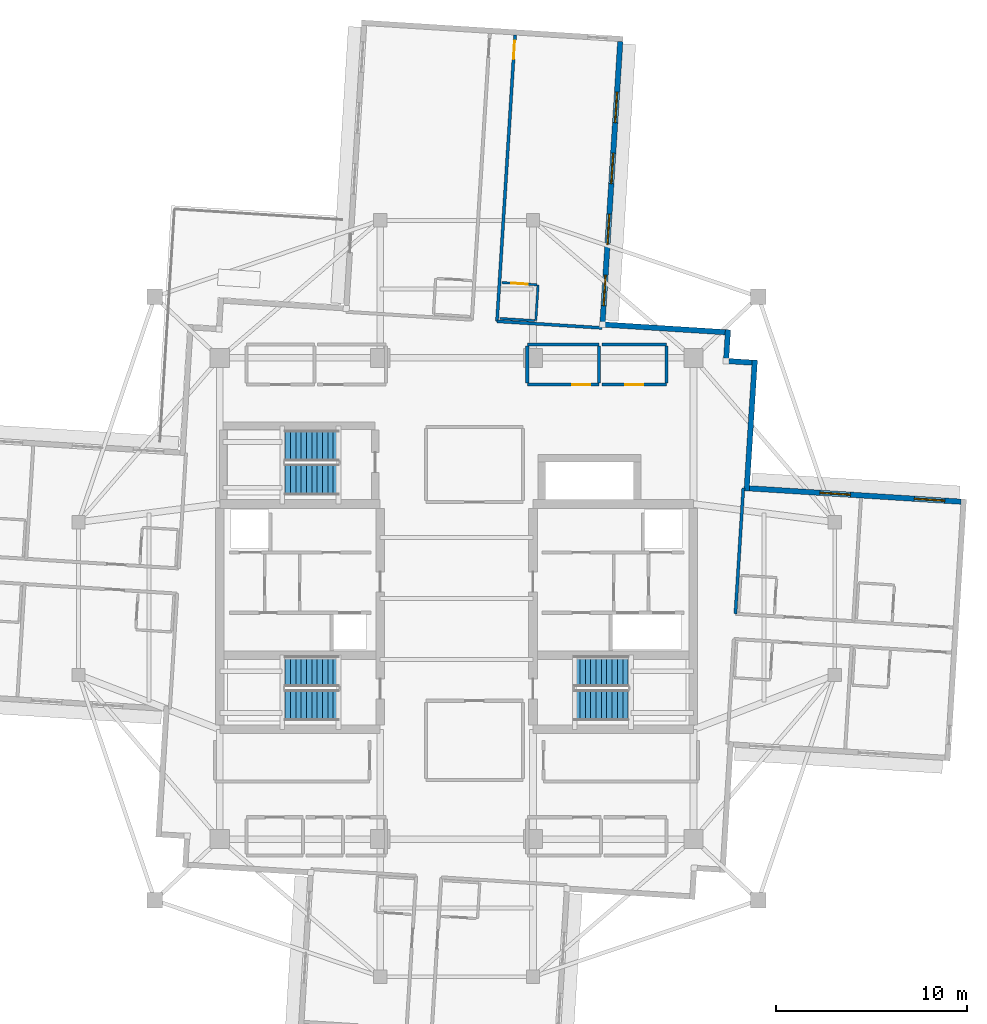
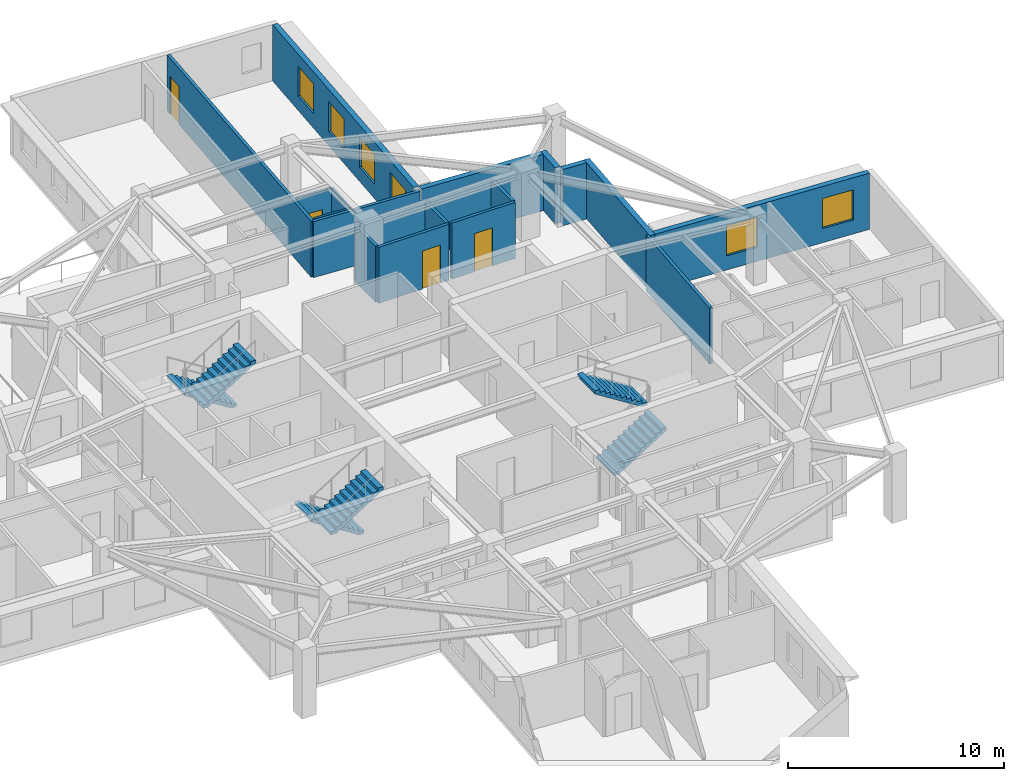
# One storey, part 8 of 12: 19 walls, 6 stair flights, 6 windows, 4 doors, 10 openings, 3 elements without a shape of their own.
"""IFC4 building model written with IfcOpenShell, lengths in metres."""

from ifc_helpers import new_model, si_unit, direction, frame, frame_2d, origin, place, context, subcontext, project, spatial, polyline, rectangle, outline, extrude, material, layer, layer_set, type_object, element, fill, aggregate, save


model = new_model("IFC4")

# Units and contexts
model_context = context("Model", 3, precision=1e-05, world=origin(), true_north=direction((0.0, 1.0)))
body_context = subcontext(model_context, "Body", "Model", "MODEL_VIEW")
ifc_project = project(units=[si_unit("LENGTHUNIT", "METRE"), si_unit("AREAUNIT", "SQUARE_METRE"), si_unit("VOLUMEUNIT", "CUBIC_METRE"), si_unit("PLANEANGLEUNIT", "RADIAN"), si_unit("MASSUNIT", "GRAM", prefix="KILO")], contexts=[model_context])

# Site, building, storey
site_placement = place(None, origin())
site = spatial("IfcSite", under=ifc_project, at=site_placement, CompositionType="ELEMENT")
building_placement = place(site_placement, origin())
building = spatial("IfcBuilding", under=site, at=building_placement, Name="Qingluan Cross Belvedere", CompositionType="ELEMENT")
storey_placement = place(building_placement, frame((0.0, 0.0, 249.89990234375)))
storey = spatial("IfcBuildingStorey", under=building, at=storey_placement, Name="L62", CompositionType="ELEMENT", Elevation=249.89990234375)

# Wall, opening, door
ifc_material_1 = material(Name="Gypsum plasterboard on steel stud acoustic partition", Category="steel")
ifc_layer_1 = layer(ifc_material_1, 0.159912109375, Name="CorridorPartition_160")
ifc_layer_set_1 = layer_set([ifc_layer_1], Name="Gypsum plasterboard on steel stud acoustic partition")
wall_type_1 = type_object("IfcWallType", Name="CorridorPartition_160", PredefinedType="PARTITIONING", material=ifc_layer_set_1)
wall_1_placement = place(storey_placement, frame((3.699951171875, 11.199951171875, 0.0), z_axis=(0.0, 0.0, 1.0), x_axis=(1.0, 0.0, 0.0)))
wall_1 = element("IfcWall", 1, at=wall_1_placement, inside=storey, type_object=wall_type_1, Name="Partition L62:q_ne1:S", PredefinedType="PARTITIONING", context=body_context, shape_type="SweptSolid", body=[
    extrude(rectangle(XDim=3.75, YDim=0.159912109375, at=frame_2d((1.875, 0.0))), origin(), (0.0, 0.0, 1.0), 3.170166015625),
])
opening_1_placement = place(wall_1_placement, frame((2.344970703125, 0.0, 0.0)))
opening_1 = element("IfcOpeningElement", 2, at=opening_1_placement, cuts=wall_1, Name="Opening GD-10", PredefinedType="OPENING", context=body_context, shape_type="SweptSolid", body=[
    extrude(rectangle(XDim=0.9599609375, YDim=2.14990234375, at=frame_2d((0.47998046875, 1.074951171875))), frame((0.0, 0.08984375, 0.0), z_axis=(0.0, -1.0, 0.0), x_axis=(1.0, 0.0, 0.0)), (0.0, 0.0, 1.0), 0.179931640625),
])
ifc_material_2 = material(Name="Timber oak fire-rated acoustic guestroom door", Category="wood")
door_type_1 = type_object("IfcDoorType", Name="GuestEntryDoor_FD60", OperationType="NOTDEFINED", PredefinedType="DOOR", material=ifc_material_2)
door_1_placement = place(opening_1_placement, origin())
door_1 = element("IfcDoor", 3, at=door_1_placement, inside=storey, type_object=door_type_1, Name="Cloud seminar hall L62 door", OperationType="SINGLE_SWING_RIGHT", OverallHeight=2.14990234375, OverallWidth=0.9599609375, PredefinedType="DOOR", context=body_context, shape_type="SweptSolid", body=[
    extrude(rectangle(XDim=0.9599609375, YDim=2.14990234375, at=frame_2d((0.47998046875, 1.074951171875))), frame((0.0, 0.02490234375, 0.0), z_axis=(0.0, -1.0, 0.0), x_axis=(1.0, 0.0, 0.0)), (0.0, 0.0, 1.0), 0.050048828125),
])
fill(opening_1, door_1)

# Walls
wall_2_placement = place(storey_placement, frame((3.699951171875, 13.300048828125, 0.0), z_axis=(0.0, 0.0, 1.0), x_axis=(1.0, 0.0, 0.0)))
element("IfcWall", 4, at=wall_2_placement, inside=storey, type_object=wall_type_1, Name="Partition L62:q_ne1:N", PredefinedType="PARTITIONING", context=body_context, shape_type="SweptSolid", body=[
    extrude(rectangle(XDim=3.75, YDim=0.159912109375, at=frame_2d((1.875, 0.0))), origin(), (0.0, 0.0, 1.0), 3.170166015625),
])
for number, where, z_axis, x_axis, name in (
    (5, (3.699951171875, 11.284912109375, 0.0), (0.0, 0.0, 1.0), (0.0, 1.0, 0.0), "Partition L62:q_ne1:W"),
    (6, (7.449951171875, 11.284912109375, 0.0), (0.0, 0.0, 1.0), (0.0, 1.0, 0.0), "Partition L62:q_ne1:E"),
):
    element("IfcWall", number, at=place(storey_placement, frame(where, z_axis=z_axis, x_axis=x_axis)), inside=storey, type_object=wall_type_1, Name=name, PredefinedType="PARTITIONING", context=body_context, shape_type="SweptSolid", body=[
        extrude(rectangle(XDim=1.93017578125, YDim=0.159912109375, at=frame_2d((0.965087890625, 0.0))), origin(), (0.0, 0.0, 1.0), 3.170166015625),
    ])

# Wall, opening, door
wall_3_placement = place(storey_placement, frame((7.610107421875, 11.199951171875, 0.0), z_axis=(0.0, 0.0, 1.0), x_axis=(1.0, 0.0, 0.0)))
wall_3 = element("IfcWall", 7, at=wall_3_placement, inside=storey, type_object=wall_type_1, Name="Partition L62:q_ne2:S", PredefinedType="PARTITIONING", context=body_context, shape_type="SweptSolid", body=[
    extrude(rectangle(XDim=3.389892578125, YDim=0.159912109375, at=frame_2d((1.69482421875, 0.0))), origin(), (0.0, 0.0, 1.0), 3.170166015625),
])
opening_2_placement = place(wall_3_placement, frame((1.215087890625, 0.0, 0.0)))
opening_2 = element("IfcOpeningElement", 8, at=opening_2_placement, cuts=wall_3, Name="Opening GD-10", PredefinedType="OPENING", context=body_context, shape_type="SweptSolid", body=[
    extrude(rectangle(XDim=0.9599609375, YDim=2.14990234375, at=frame_2d((0.47998046875, 1.074951171875))), frame((0.0, 0.08984375, 0.0), z_axis=(0.0, -1.0, 0.0), x_axis=(1.0, 0.0, 0.0)), (0.0, 0.0, 1.0), 0.179931640625),
])
door_2_placement = place(opening_2_placement, origin())
door_2 = element("IfcDoor", 9, at=door_2_placement, inside=storey, type_object=door_type_1, Name="Northeast tea salon L62 door", OperationType="SINGLE_SWING_LEFT", OverallHeight=2.14990234375, OverallWidth=0.9599609375, PredefinedType="DOOR", context=body_context, shape_type="SweptSolid", body=[
    extrude(rectangle(XDim=0.9599609375, YDim=2.14990234375, at=frame_2d((0.47998046875, 1.074951171875))), frame((0.0, 0.02490234375, 0.0), z_axis=(0.0, -1.0, 0.0), x_axis=(1.0, 0.0, 0.0)), (0.0, 0.0, 1.0), 0.050048828125),
])
fill(opening_2, door_2)

# Walls
wall_4_placement = place(storey_placement, frame((7.610107421875, 13.300048828125, 0.0), z_axis=(0.0, 0.0, 1.0), x_axis=(1.0, 0.0, 0.0)))
element("IfcWall", 10, at=wall_4_placement, inside=storey, type_object=wall_type_1, Name="Partition L62:q_ne2:N", PredefinedType="PARTITIONING", context=body_context, shape_type="SweptSolid", body=[
    extrude(rectangle(XDim=3.389892578125, YDim=0.159912109375, at=frame_2d((1.69482421875, 0.0))), origin(), (0.0, 0.0, 1.0), 3.170166015625),
])
wall_5_placement = place(storey_placement, frame((11.0, 11.284912109375, 0.0), z_axis=(0.0, 0.0, 1.0), x_axis=(0.0, 1.0, 0.0)))
element("IfcWall", 11, at=wall_5_placement, inside=storey, type_object=wall_type_1, Name="Partition L62:q_ne2:E", PredefinedType="PARTITIONING", context=body_context, shape_type="SweptSolid", body=[
    extrude(rectangle(XDim=1.93017578125, YDim=0.159912109375, at=frame_2d((0.965087890625, 0.0))), origin(), (0.0, 0.0, 1.0), 3.170166015625),
])
wall_6_placement = place(storey_placement, frame((14.5986328125, -0.798095703125, 0.0), z_axis=(0.0, 0.0, 1.0), x_axis=(0.06281123689, 0.998025424787, 0.0)))
element("IfcWall", 12, at=wall_6_placement, inside=storey, type_object=wall_type_1, Name="Partition L62:E:s0", PredefinedType="PARTITIONING", context=body_context, shape_type="SweptSolid", body=[
    extrude(rectangle(XDim=6.599853515625, YDim=0.159912109375, at=frame_2d((3.2998046875, 0.0))), origin(), (0.0, 0.0, 1.0), 3.170166015625),
])

# Wall, opening, door
wall_7_placement = place(storey_placement, frame((2.115478515625, 14.515869140625, 0.0), z_axis=(0.0, 0.0, 1.0), x_axis=(0.062791373209, 0.998026674719, 0.0)))
wall_7 = element("IfcWall", 13, at=wall_7_placement, inside=storey, type_object=wall_type_1, Name="Partition L62:N:c0", PredefinedType="PARTITIONING", context=body_context, shape_type="SweptSolid", body=[
    extrude(rectangle(XDim=15.011962890625, YDim=0.159912109375, at=frame_2d((7.505859375, 0.0))), origin(), (0.0, 0.0, 1.0), 3.170166015625),
])
opening_3_placement = place(wall_7_placement, frame((13.760009765625, 0.0, 0.0)))
opening_3 = element("IfcOpeningElement", 14, at=opening_3_placement, cuts=wall_7, Name="Opening GD-10", PredefinedType="OPENING", context=body_context, shape_type="SweptSolid", body=[
    extrude(rectangle(XDim=0.9599609375, YDim=2.14990234375, at=frame_2d((0.47998046875, 1.074951171875))), frame((0.0, 0.08984375, 0.0), z_axis=(0.0, -1.0, 0.0), x_axis=(1.0, 0.0, 0.0)), (0.0, 0.0, 1.0), 0.179931640625),
])
door_3_placement = place(opening_3_placement, origin())
door_3 = element("IfcDoor", 15, at=door_3_placement, inside=storey, type_object=door_type_1, Name="Guest entry fire door 6209", OperationType="SINGLE_SWING_LEFT", OverallHeight=2.14990234375, OverallWidth=0.9599609375, PredefinedType="DOOR", context=body_context, shape_type="SweptSolid", body=[
    extrude(rectangle(XDim=0.9599609375, YDim=2.14990234375, at=frame_2d((0.47998046875, 1.074951171875))), frame((0.0, 0.02490234375, 0.0), z_axis=(0.0, -1.0, 0.0), x_axis=(1.0, 0.0, 0.0)), (0.0, 0.0, 1.0), 0.050048828125),
])
fill(opening_3, door_3)

# Wall
wall_8_placement = place(storey_placement, frame((2.115478515625, 14.515869140625, 0.0), z_axis=(0.0, 0.0, 1.0), x_axis=(0.998025986639, -0.062802308829, 0.0)))
element("IfcWall", 16, at=wall_8_placement, inside=storey, type_object=wall_type_1, Name="Partition L62:N:s0", PredefinedType="PARTITIONING", context=body_context, shape_type="SweptSolid", body=[
    extrude(rectangle(XDim=5.520263671875, YDim=0.159912109375, at=frame_2d((2.76025390625, 0.0))), origin(), (0.0, 0.0, 1.0), 3.170166015625),
])

# Wall, opening, door
ifc_material_3 = material(Name="Moisture-resistant gypsum board lining")
ifc_layer_2 = layer(ifc_material_3, 0.1201171875, Name="EnsuiteWetPartition_120")
ifc_layer_set_2 = layer_set([ifc_layer_2], Name="Moisture-resistant gypsum board lining")
wall_type_2 = type_object("IfcWallType", Name="EnsuiteWetPartition_120", PredefinedType="PARTITIONING", material=ifc_layer_set_2)
wall_9_placement = place(storey_placement, frame((2.38330078125, 16.54296875, 0.0), z_axis=(0.0, 0.0, 1.0), x_axis=(0.998027972529, -0.062770741989, 0.0)))
wall_9 = element("IfcWall", 17, at=wall_9_placement, inside=storey, type_object=wall_type_2, Name="Partition L62:N:bs0_0", PredefinedType="PARTITIONING", context=body_context, shape_type="SweptSolid", body=[
    extrude(rectangle(XDim=1.8203125, YDim=0.1201171875, at=frame_2d((0.91015625, 0.0))), origin(), (0.0, 0.0, 1.0), 3.170166015625),
])
opening_4_placement = place(wall_9_placement, frame((0.469970703125, 0.0, 0.0)))
opening_4 = element("IfcOpeningElement", 18, at=opening_4_placement, cuts=wall_9, Name="Opening BD-09", PredefinedType="OPENING", context=body_context, shape_type="SweptSolid", body=[
    extrude(rectangle(XDim=0.8798828125, YDim=2.10009765625, at=frame_2d((0.43994140625, 1.050048828125))), frame((0.0, 0.070068359375, 0.0), z_axis=(0.0, -1.0, 0.0), x_axis=(1.0, 0.0, 0.0)), (0.0, 0.0, 1.0), 0.14013671875),
])
ifc_material_4 = material(Name="Moisture-sealed timber en-suite door", Category="wood")
door_type_2 = type_object("IfcDoorType", Name="BathroomDoor_880", OperationType="NOTDEFINED", PredefinedType="DOOR", material=ifc_material_4)
door_4_placement = place(opening_4_placement, origin())
door_4 = element("IfcDoor", 19, at=door_4_placement, inside=storey, type_object=door_type_2, Name="Bathroom door 6209", OperationType="SINGLE_SWING_RIGHT", OverallHeight=2.10009765625, OverallWidth=0.8798828125, PredefinedType="DOOR", context=body_context, shape_type="SweptSolid", body=[
    extrude(rectangle(XDim=0.8798828125, YDim=2.10009765625, at=frame_2d((0.43994140625, 1.050048828125))), frame((0.0, 0.02490234375, 0.0), z_axis=(0.0, -1.0, 0.0), x_axis=(1.0, 0.0, 0.0)), (0.0, 0.0, 1.0), 0.050048828125),
])
fill(opening_4, door_4)

# Walls
wall_10_placement = place(storey_placement, frame((2.265380859375, 14.666748046875, 0.0), z_axis=(0.0, 0.0, 1.0), x_axis=(0.998027443946, -0.062779145668, 0.0)))
element("IfcWall", 20, at=wall_10_placement, inside=storey, type_object=wall_type_2, Name="Partition L62:N:bw0_0", PredefinedType="PARTITIONING", context=body_context, shape_type="SweptSolid", body=[
    extrude(rectangle(XDim=1.820068359375, YDim=0.1201171875, at=frame_2d((0.91015625, 0.0))), origin(), (0.0, 0.0, 1.0), 3.170166015625),
])
wall_11_placement = place(storey_placement, frame((4.146728515625, 14.54833984375, 0.0), z_axis=(0.0, 0.0, 1.0), x_axis=(0.062725942896, 0.998030789148, 0.0)))
element("IfcWall", 21, at=wall_11_placement, inside=storey, type_object=wall_type_2, Name="Partition L62:N:bn0_0", PredefinedType="PARTITIONING", context=body_context, shape_type="SweptSolid", body=[
    extrude(rectangle(XDim=1.8798828125, YDim=0.1201171875, at=frame_2d((0.93994140625, 0.0))), origin(), (0.0, 0.0, 1.0), 3.170166015625),
])

# Wall, openings, windows
ifc_material_5 = material(Name="Precast concrete C45", Category="concrete")
ifc_layer_3 = layer(ifc_material_5, 0.280029296875, Name="PrecastFacadeWall_280")
ifc_layer_set_3 = layer_set([ifc_layer_3], Name="Precast concrete C45")
wall_type_3 = type_object("IfcWallType", Name="PrecastFacadeWall_280", PredefinedType="STANDARD", material=ifc_layer_set_3)
wall_12_placement = place(storey_placement, frame((26.41064453125, 5.07177734375, 0.0), z_axis=(0.0, 0.0, 1.0), x_axis=(-0.998027852903, 0.062772643957, 0.0)))
wall_12 = element("IfcWall", 22, at=wall_12_placement, inside=storey, type_object=wall_type_3, Name="Facade wall L62-EB", PredefinedType="STANDARD", context=body_context, shape_type="SweptSolid", body=[
    extrude(rectangle(XDim=11.10009765625, YDim=0.280029296875, at=frame_2d((5.550048828125, 0.0))), origin(), (0.0, 0.0, 1.0), 3.18017578125),
])
opening_5_placement = place(wall_12_placement, frame((0.85009765625, 0.0, 0.800048828125)))
opening_5 = element("IfcOpeningElement", 23, at=opening_5_placement, cuts=wall_12, Name="Opening W-04", PredefinedType="OPENING", context=body_context, shape_type="SweptSolid", body=[
    extrude(rectangle(XDim=1.60009765625, YDim=1.699951171875, at=frame_2d((0.800048828125, 0.85009765625))), frame((0.0, 0.14990234375, 0.0), z_axis=(0.0, -1.0, 0.0), x_axis=(1.0, 0.0, 0.0)), (0.0, 0.0, 1.0), 0.300048828125),
])
opening_6_placement = place(wall_12_placement, frame((5.800048828125, 0.0, 0.800048828125)))
opening_6 = element("IfcOpeningElement", 24, at=opening_6_placement, cuts=wall_12, Name="Opening W-04", PredefinedType="OPENING", context=body_context, shape_type="SweptSolid", body=[
    extrude(rectangle(XDim=1.60009765625, YDim=1.699951171875, at=frame_2d((0.800048828125, 0.85009765625))), frame((0.0, 0.14990234375, 0.0), z_axis=(0.0, -1.0, 0.0), x_axis=(1.0, 0.0, 0.0)), (0.0, 0.0, 1.0), 0.300048828125),
])
ifc_material_6 = material(Name="Thermally broken triple Low-E glass in aluminium frame", Category="aluminium")
window_type = type_object("IfcWindowType", Name="SuiteCornerWin_1600x1700", PartitioningType="SINGLE_PANEL", PredefinedType="WINDOW", material=ifc_material_6)
window_1_placement = place(opening_5_placement, origin())
window_1 = element("IfcWindow", 25, at=window_1_placement, inside=storey, type_object=window_type, Name="Ribbon window L62-EB-1", OverallHeight=1.699951171875, OverallWidth=1.60009765625, PartitioningType="SINGLE_PANEL", PredefinedType="WINDOW", context=body_context, shape_type="SweptSolid", body=[
    extrude(rectangle(XDim=1.60009765625, YDim=1.699951171875, at=frame_2d((0.800048828125, 0.85009765625))), frame((0.0, 0.030029296875, 0.0), z_axis=(0.0, -1.0, 0.0), x_axis=(1.0, 0.0, 0.0)), (0.0, 0.0, 1.0), 0.06005859375),
])
fill(opening_5, window_1)
window_2_placement = place(opening_6_placement, origin())
window_2 = element("IfcWindow", 26, at=window_2_placement, inside=storey, type_object=window_type, Name="Ribbon window L62-EB-2", OverallHeight=1.699951171875, OverallWidth=1.60009765625, PartitioningType="SINGLE_PANEL", PredefinedType="WINDOW", context=body_context, shape_type="SweptSolid", body=[
    extrude(rectangle(XDim=1.60009765625, YDim=1.699951171875, at=frame_2d((0.800048828125, 0.85009765625))), frame((0.0, 0.030029296875, 0.0), z_axis=(0.0, -1.0, 0.0), x_axis=(1.0, 0.0, 0.0)), (0.0, 0.0, 1.0), 0.06005859375),
])
fill(opening_6, window_2)

wall_13_placement = place(storey_placement, frame((7.644775390625, 14.488525390625, 0.0), z_axis=(0.0, 0.0, 1.0), x_axis=(0.062794967833, 0.998026448555, 0.0)))
wall_13 = element("IfcWall", 27, at=wall_13_placement, inside=storey, type_object=wall_type_3, Name="Facade wall L62-NA", PredefinedType="STANDARD", context=body_context, shape_type="SweptSolid", body=[
    extrude(rectangle(XDim=14.7001953125, YDim=0.280029296875, at=frame_2d((7.35009765625, 0.0))), origin(), (0.0, 0.0, 1.0), 3.18017578125),
])
opening_7_placement = place(wall_13_placement, frame((0.85009765625, 0.0, 0.800048828125)))
opening_7 = element("IfcOpeningElement", 28, at=opening_7_placement, cuts=wall_13, Name="Opening W-04", PredefinedType="OPENING", context=body_context, shape_type="SweptSolid", body=[
    extrude(rectangle(XDim=1.60009765625, YDim=1.699951171875, at=frame_2d((0.800048828125, 0.85009765625))), frame((0.0, 0.14990234375, 0.0), z_axis=(0.0, -1.0, 0.0), x_axis=(1.0, 0.0, 0.0)), (0.0, 0.0, 1.0), 0.300048828125),
])
opening_8_placement = place(wall_13_placement, frame((4.050048828125, 0.0, 0.800048828125)))
opening_8 = element("IfcOpeningElement", 29, at=opening_8_placement, cuts=wall_13, Name="Opening W-04", PredefinedType="OPENING", context=body_context, shape_type="SweptSolid", body=[
    extrude(rectangle(XDim=1.60009765625, YDim=1.699951171875, at=frame_2d((0.800048828125, 0.85009765625))), frame((0.0, 0.14990234375, 0.0), z_axis=(0.0, -1.0, 0.0), x_axis=(1.0, 0.0, 0.0)), (0.0, 0.0, 1.0), 0.300048828125),
])
opening_9_placement = place(wall_13_placement, frame((7.25, 0.0, 0.800048828125)))
opening_9 = element("IfcOpeningElement", 30, at=opening_9_placement, cuts=wall_13, Name="Opening W-04", PredefinedType="OPENING", context=body_context, shape_type="SweptSolid", body=[
    extrude(rectangle(XDim=1.60009765625, YDim=1.699951171875, at=frame_2d((0.800048828125, 0.85009765625))), frame((0.0, 0.14990234375, 0.0), z_axis=(0.0, -1.0, 0.0), x_axis=(1.0, 0.0, 0.0)), (0.0, 0.0, 1.0), 0.300048828125),
])
opening_10_placement = place(wall_13_placement, frame((10.449951171875, 0.0, 0.800048828125)))
opening_10 = element("IfcOpeningElement", 31, at=opening_10_placement, cuts=wall_13, Name="Opening W-04", PredefinedType="OPENING", context=body_context, shape_type="SweptSolid", body=[
    extrude(rectangle(XDim=1.60009765625, YDim=1.699951171875, at=frame_2d((0.800048828125, 0.85009765625))), frame((0.0, 0.14990234375, 0.0), z_axis=(0.0, -1.0, 0.0), x_axis=(1.0, 0.0, 0.0)), (0.0, 0.0, 1.0), 0.300048828125),
])
window_3_placement = place(opening_7_placement, origin())
window_3 = element("IfcWindow", 32, at=window_3_placement, inside=storey, type_object=window_type, Name="Ribbon window L62-NA-1", OverallHeight=1.699951171875, OverallWidth=1.60009765625, PartitioningType="SINGLE_PANEL", PredefinedType="WINDOW", context=body_context, shape_type="SweptSolid", body=[
    extrude(rectangle(XDim=1.60009765625, YDim=1.699951171875, at=frame_2d((0.800048828125, 0.85009765625))), frame((0.0, 0.030029296875, 0.0), z_axis=(0.0, -1.0, 0.0), x_axis=(1.0, 0.0, 0.0)), (0.0, 0.0, 1.0), 0.06005859375),
])
fill(opening_7, window_3)
window_4_placement = place(opening_8_placement, origin())
window_4 = element("IfcWindow", 33, at=window_4_placement, inside=storey, type_object=window_type, Name="Ribbon window L62-NA-2", OverallHeight=1.699951171875, OverallWidth=1.60009765625, PartitioningType="SINGLE_PANEL", PredefinedType="WINDOW", context=body_context, shape_type="SweptSolid", body=[
    extrude(rectangle(XDim=1.60009765625, YDim=1.699951171875, at=frame_2d((0.800048828125, 0.85009765625))), frame((0.0, 0.030029296875, 0.0), z_axis=(0.0, -1.0, 0.0), x_axis=(1.0, 0.0, 0.0)), (0.0, 0.0, 1.0), 0.06005859375),
])
fill(opening_8, window_4)
window_5_placement = place(opening_9_placement, origin())
window_5 = element("IfcWindow", 34, at=window_5_placement, inside=storey, type_object=window_type, Name="Ribbon window L62-NA-3", OverallHeight=1.699951171875, OverallWidth=1.60009765625, PartitioningType="SINGLE_PANEL", PredefinedType="WINDOW", context=body_context, shape_type="SweptSolid", body=[
    extrude(rectangle(XDim=1.60009765625, YDim=1.699951171875, at=frame_2d((0.800048828125, 0.85009765625))), frame((0.0, 0.030029296875, 0.0), z_axis=(0.0, -1.0, 0.0), x_axis=(1.0, 0.0, 0.0)), (0.0, 0.0, 1.0), 0.06005859375),
])
fill(opening_9, window_5)
window_6_placement = place(opening_10_placement, origin())
window_6 = element("IfcWindow", 35, at=window_6_placement, inside=storey, type_object=window_type, Name="Ribbon window L62-NA-4", OverallHeight=1.699951171875, OverallWidth=1.60009765625, PartitioningType="SINGLE_PANEL", PredefinedType="WINDOW", context=body_context, shape_type="SweptSolid", body=[
    extrude(rectangle(XDim=1.60009765625, YDim=1.699951171875, at=frame_2d((0.800048828125, 0.85009765625))), frame((0.0, 0.030029296875, 0.0), z_axis=(0.0, -1.0, 0.0), x_axis=(1.0, 0.0, 0.0)), (0.0, 0.0, 1.0), 0.06005859375),
])
fill(opening_10, window_6)

# Walls
wall_14_placement = place(storey_placement, frame((15.18408203125, 5.6376953125, 0.0), z_axis=(0.0, 0.0, 1.0), x_axis=(0.062779317195, 0.998027433156, 0.0)))
element("IfcWall", 36, at=wall_14_placement, inside=storey, type_object=wall_type_3, Name="Corner wall L62-NE1", PredefinedType="STANDARD", context=body_context, shape_type="SweptSolid", body=[
    extrude(rectangle(XDim=6.85986328125, YDim=0.280029296875, at=frame_2d((3.429931640625, 0.0))), origin(), (0.0, 0.0, 1.0), 3.18017578125),
])
wall_15_placement = place(storey_placement, frame((15.46630859375, 12.353271484375, 0.0), z_axis=(0.0, 0.0, 1.0), x_axis=(-0.998024450254, 0.062826719603, 0.0)))
element("IfcWall", 37, at=wall_15_placement, inside=storey, type_object=wall_type_3, Name="Corner wall L62-NE2", PredefinedType="STANDARD", context=body_context, shape_type="SweptSolid", body=[
    extrude(rectangle(XDim=1.22021484375, YDim=0.280029296875, at=frame_2d((0.610107421875, 0.0))), origin(), (0.0, 0.0, 1.0), 3.18017578125),
])
wall_16_placement = place(storey_placement, frame((14.11767578125, 12.578369140625, 0.0), z_axis=(0.0, 0.0, 1.0), x_axis=(0.062824119533, 0.998024613927, 0.0)))
element("IfcWall", 38, at=wall_16_placement, inside=storey, type_object=wall_type_3, Name="Corner wall L62-NE3", PredefinedType="STANDARD", context=body_context, shape_type="SweptSolid", body=[
    extrude(rectangle(XDim=1.5, YDim=0.280029296875, at=frame_2d((0.75, 0.0))), origin(), (0.0, 0.0, 1.0), 3.18017578125),
])
wall_17_placement = place(storey_placement, frame((14.063232421875, 13.944580078125, 0.0), z_axis=(0.0, 0.0, 1.0), x_axis=(-0.998027314704, 0.062781200242, 0.0)))
element("IfcWall", 39, at=wall_17_placement, inside=storey, type_object=wall_type_3, Name="Corner wall L62-NE4", PredefinedType="STANDARD", context=body_context, shape_type="SweptSolid", body=[
    extrude(rectangle(XDim=6.2998046875, YDim=0.280029296875, at=frame_2d((3.14990234375, 0.0))), origin(), (0.0, 0.0, 1.0), 3.18017578125),
])

# Stair, stair flights
ifc_material_7 = material(Name="Concrete C40", Category="concrete")
stair_type = type_object("IfcStairType", Name="CoreDoglegStair_1620", PredefinedType="HALF_TURN_STAIR", material=ifc_material_7)
stair_1_placement = place(storey_placement, origin())
stair_1 = element("IfcStair", 40, at=stair_1_placement, inside=storey, type_object=stair_type, Name="L62 ST1", PredefinedType="HALF_TURN_STAIR")
ifc_material_8 = material(Name="Concrete C40", Category="concrete")
ifc_layer_4 = layer(ifc_material_8, 0.179931640625, Name="StairFlight_RC180")
ifc_layer_set_4 = layer_set([ifc_layer_4], Name="Concrete C40")
stair_flight_type = type_object("IfcStairFlightType", Name="StairFlight_RC180", PredefinedType="STRAIGHT", material=ifc_layer_set_4)
stair_flight_1_placement = place(storey_placement, frame((-6.179931640625, -3.81005859375, 0.0), z_axis=(0.0, 0.0, 1.0), x_axis=(-1.0, 0.0, 0.0)))
stair_flight_1 = element("IfcStairFlight", 41, at=stair_flight_1_placement, type_object=stair_flight_type, Name="ST1 flight 1", NumberOfRisers=11, NumberOfTreads=10, PredefinedType="STRAIGHT", RiserHeight=0.177272727, TreadLength=0.28, context=body_context, shape_type="SweptSolid", body=[
    extrude(outline(polyline([(0.0, 0.0), (0.0, 0.17724609375), (0.280029296875, 0.17724609375), (0.280029296875, 0.3544921875), (0.56005859375, 0.3544921875), (0.56005859375, 0.53173828125), (0.840087890625, 0.53173828125), (0.840087890625, 0.708984375), (1.1201171875, 0.708984375), (1.1201171875, 0.886474609375), (1.39990234375, 0.886474609375), (1.39990234375, 1.063720703125), (1.679931640625, 1.063720703125), (1.679931640625, 1.240966796875), (1.9599609375, 1.240966796875), (1.9599609375, 1.418212890625), (2.239990234375, 1.418212890625), (2.239990234375, 1.595458984375), (2.52001953125, 1.595458984375), (2.52001953125, 1.772705078125), (2.800048828125, 1.772705078125), (2.800048828125, 1.949951171875), (2.800048828125, 1.59521484375), (0.2802734375, 0.0), (0.0, 0.0)])), frame((0.0, 0.81005859375, 0.0), z_axis=(0.0, -1.0, 0.0), x_axis=(1.0, 0.0, 0.0)), (0.0, 0.0, 1.0), 1.6201171875),
])
stair_flight_2_placement = place(storey_placement, frame((-8.97998046875, -5.590087890625, 1.9501953125), z_axis=(0.0, 0.0, 1.0), x_axis=(1.0, 0.0, 0.0)))
stair_flight_2 = element("IfcStairFlight", 42, at=stair_flight_2_placement, type_object=stair_flight_type, Name="ST1 flight 2", NumberOfRisers=11, NumberOfTreads=10, PredefinedType="STRAIGHT", RiserHeight=0.177272727, TreadLength=0.28, context=body_context, shape_type="SweptSolid", body=[
    extrude(outline(polyline([(0.0, 0.0), (0.0, 0.17724609375), (0.280029296875, 0.17724609375), (0.280029296875, 0.3544921875), (0.56005859375, 0.3544921875), (0.56005859375, 0.53173828125), (0.840087890625, 0.53173828125), (0.840087890625, 0.708984375), (1.1201171875, 0.708984375), (1.1201171875, 0.886474609375), (1.39990234375, 0.886474609375), (1.39990234375, 1.063720703125), (1.679931640625, 1.063720703125), (1.679931640625, 1.240966796875), (1.9599609375, 1.240966796875), (1.9599609375, 1.418212890625), (2.239990234375, 1.418212890625), (2.239990234375, 1.595458984375), (2.52001953125, 1.595458984375), (2.52001953125, 1.772705078125), (2.800048828125, 1.772705078125), (2.800048828125, 1.949951171875), (2.800048828125, 1.59521484375), (0.2802734375, 0.0), (0.0, 0.0)])), frame((0.0, 0.81005859375, 0.0), z_axis=(0.0, -1.0, 0.0), x_axis=(1.0, 0.0, 0.0)), (0.0, 0.0, 1.0), 1.6201171875),
])
aggregate(stair_1, [stair_flight_1, stair_flight_2])

stair_2_placement = place(storey_placement, origin())
stair_2 = element("IfcStair", 43, at=stair_2_placement, inside=storey, type_object=stair_type, Name="L62 ST2", PredefinedType="HALF_TURN_STAIR")
stair_flight_3_placement = place(storey_placement, frame((6.179931640625, -5.590087890625, 0.0), z_axis=(0.0, 0.0, 1.0), x_axis=(1.0, 0.0, 0.0)))
stair_flight_3 = element("IfcStairFlight", 44, at=stair_flight_3_placement, type_object=stair_flight_type, Name="ST2 flight 1", NumberOfRisers=11, NumberOfTreads=10, PredefinedType="STRAIGHT", RiserHeight=0.177272727, TreadLength=0.28, context=body_context, shape_type="SweptSolid", body=[
    extrude(outline(polyline([(0.0, 0.0), (0.0, 0.17724609375), (0.280029296875, 0.17724609375), (0.280029296875, 0.3544921875), (0.56005859375, 0.3544921875), (0.56005859375, 0.53173828125), (0.840087890625, 0.53173828125), (0.840087890625, 0.708984375), (1.1201171875, 0.708984375), (1.1201171875, 0.886474609375), (1.39990234375, 0.886474609375), (1.39990234375, 1.063720703125), (1.679931640625, 1.063720703125), (1.679931640625, 1.240966796875), (1.9599609375, 1.240966796875), (1.9599609375, 1.418212890625), (2.239990234375, 1.418212890625), (2.239990234375, 1.595458984375), (2.52001953125, 1.595458984375), (2.52001953125, 1.772705078125), (2.800048828125, 1.772705078125), (2.800048828125, 1.949951171875), (2.800048828125, 1.59521484375), (0.2802734375, 0.0), (0.0, 0.0)])), frame((0.0, 0.81005859375, 0.0), z_axis=(0.0, -1.0, 0.0), x_axis=(1.0, 0.0, 0.0)), (0.0, 0.0, 1.0), 1.6201171875),
])
stair_flight_4_placement = place(storey_placement, frame((8.97998046875, -3.81005859375, 1.9501953125), z_axis=(0.0, 0.0, 1.0), x_axis=(-1.0, 0.0, 0.0)))
stair_flight_4 = element("IfcStairFlight", 45, at=stair_flight_4_placement, type_object=stair_flight_type, Name="ST2 flight 2", NumberOfRisers=11, NumberOfTreads=10, PredefinedType="STRAIGHT", RiserHeight=0.177272727, TreadLength=0.28, context=body_context, shape_type="SweptSolid", body=[
    extrude(outline(polyline([(0.0, 0.0), (0.0, 0.17724609375), (0.280029296875, 0.17724609375), (0.280029296875, 0.3544921875), (0.56005859375, 0.3544921875), (0.56005859375, 0.53173828125), (0.840087890625, 0.53173828125), (0.840087890625, 0.708984375), (1.1201171875, 0.708984375), (1.1201171875, 0.886474609375), (1.39990234375, 0.886474609375), (1.39990234375, 1.063720703125), (1.679931640625, 1.063720703125), (1.679931640625, 1.240966796875), (1.9599609375, 1.240966796875), (1.9599609375, 1.418212890625), (2.239990234375, 1.418212890625), (2.239990234375, 1.595458984375), (2.52001953125, 1.595458984375), (2.52001953125, 1.772705078125), (2.800048828125, 1.772705078125), (2.800048828125, 1.949951171875), (2.800048828125, 1.59521484375), (0.2802734375, 0.0), (0.0, 0.0)])), frame((0.0, 0.81005859375, 0.0), z_axis=(0.0, -1.0, 0.0), x_axis=(1.0, 0.0, 0.0)), (0.0, 0.0, 1.0), 1.6201171875),
])
aggregate(stair_2, [stair_flight_3, stair_flight_4])

stair_3_placement = place(storey_placement, origin())
stair_3 = element("IfcStair", 46, at=stair_3_placement, inside=storey, type_object=stair_type, Name="L62 ST3", PredefinedType="HALF_TURN_STAIR")
stair_flight_5_placement = place(storey_placement, frame((-6.179931640625, 8.010009765625, 0.0), z_axis=(0.0, 0.0, 1.0), x_axis=(-1.0, 0.0, 0.0)))
stair_flight_5 = element("IfcStairFlight", 47, at=stair_flight_5_placement, type_object=stair_flight_type, Name="ST3 flight 1", NumberOfRisers=11, NumberOfTreads=10, PredefinedType="STRAIGHT", RiserHeight=0.177272727, TreadLength=0.28, context=body_context, shape_type="SweptSolid", body=[
    extrude(outline(polyline([(0.0, 0.0), (0.0, 0.17724609375), (0.280029296875, 0.17724609375), (0.280029296875, 0.3544921875), (0.56005859375, 0.3544921875), (0.56005859375, 0.53173828125), (0.840087890625, 0.53173828125), (0.840087890625, 0.708984375), (1.1201171875, 0.708984375), (1.1201171875, 0.886474609375), (1.39990234375, 0.886474609375), (1.39990234375, 1.063720703125), (1.679931640625, 1.063720703125), (1.679931640625, 1.240966796875), (1.9599609375, 1.240966796875), (1.9599609375, 1.418212890625), (2.239990234375, 1.418212890625), (2.239990234375, 1.595458984375), (2.52001953125, 1.595458984375), (2.52001953125, 1.772705078125), (2.800048828125, 1.772705078125), (2.800048828125, 1.949951171875), (2.800048828125, 1.59521484375), (0.2802734375, 0.0), (0.0, 0.0)])), frame((0.0, 0.81005859375, 0.0), z_axis=(0.0, -1.0, 0.0), x_axis=(1.0, 0.0, 0.0)), (0.0, 0.0, 1.0), 1.6201171875),
])
stair_flight_6_placement = place(storey_placement, frame((-8.97998046875, 6.22998046875, 1.9501953125), z_axis=(0.0, 0.0, 1.0), x_axis=(1.0, 0.0, 0.0)))
stair_flight_6 = element("IfcStairFlight", 48, at=stair_flight_6_placement, type_object=stair_flight_type, Name="ST3 flight 2", NumberOfRisers=11, NumberOfTreads=10, PredefinedType="STRAIGHT", RiserHeight=0.177272727, TreadLength=0.28, context=body_context, shape_type="SweptSolid", body=[
    extrude(outline(polyline([(0.0, 0.0), (0.0, 0.17724609375), (0.280029296875, 0.17724609375), (0.280029296875, 0.3544921875), (0.56005859375, 0.3544921875), (0.56005859375, 0.53173828125), (0.840087890625, 0.53173828125), (0.840087890625, 0.708984375), (1.1201171875, 0.708984375), (1.1201171875, 0.886474609375), (1.39990234375, 0.886474609375), (1.39990234375, 1.063720703125), (1.679931640625, 1.063720703125), (1.679931640625, 1.240966796875), (1.9599609375, 1.240966796875), (1.9599609375, 1.418212890625), (2.239990234375, 1.418212890625), (2.239990234375, 1.595458984375), (2.52001953125, 1.595458984375), (2.52001953125, 1.772705078125), (2.800048828125, 1.772705078125), (2.800048828125, 1.949951171875), (2.800048828125, 1.59521484375), (0.2802734375, 0.0), (0.0, 0.0)])), frame((0.0, 0.81005859375, 0.0), z_axis=(0.0, -1.0, 0.0), x_axis=(1.0, 0.0, 0.0)), (0.0, 0.0, 1.0), 1.6201171875),
])
aggregate(stair_3, [stair_flight_5, stair_flight_6])

save(model, "model.ifc")
